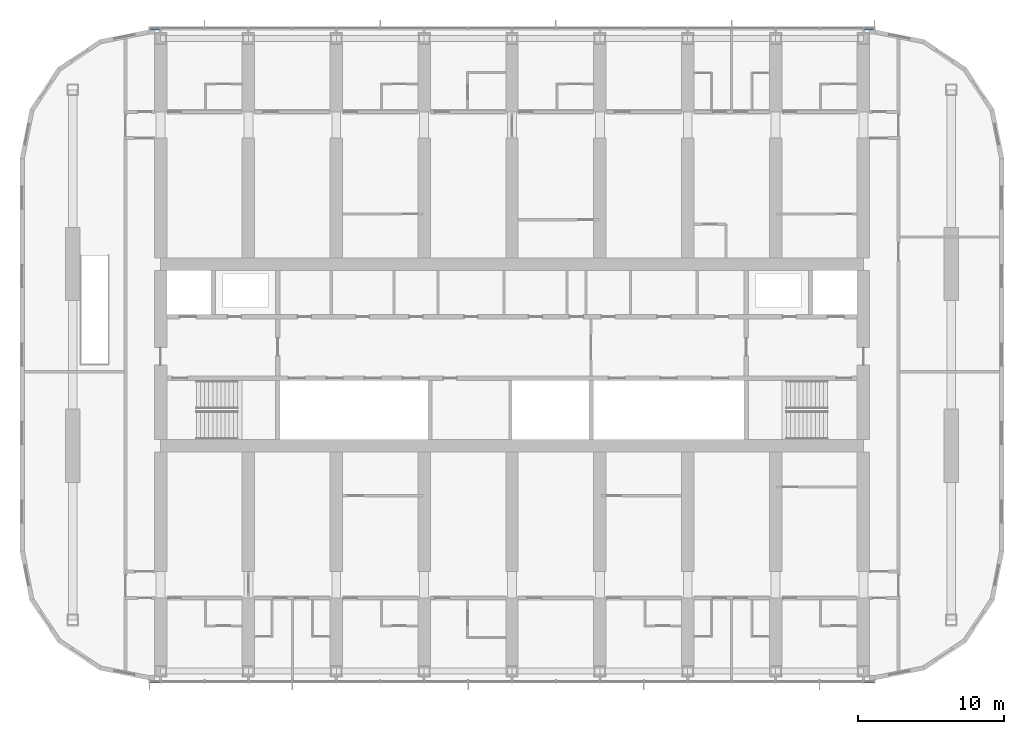
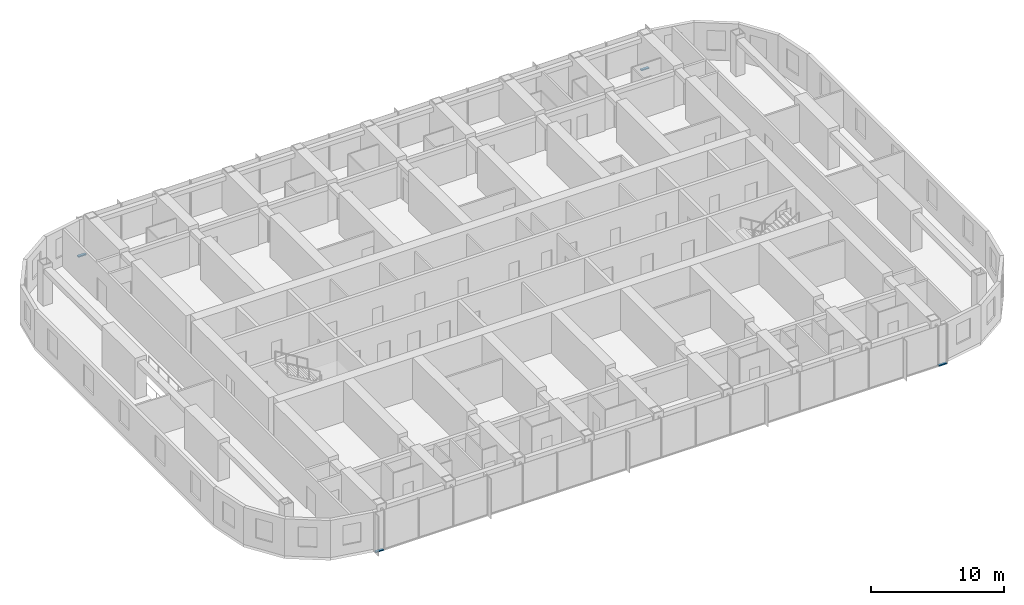
# One storey, part 6 of 22: 4 members, 2 elements without a shape of their own.
"""IFC4 building model written with IfcOpenShell, lengths in metres."""

from ifc_helpers import new_model, si_unit, direction, frame, origin, origin_2d, place, context, subcontext, project, spatial, rectangle, extrude, material, material_profile, profile_set, type_object, element, aggregate, save


model = new_model("IFC4")

# Units and contexts
model_context = context("Model", 3, precision=1e-05, world=origin(), true_north=direction((0.0, 1.0)))
body_context = subcontext(model_context, "Body", "Model", "MODEL_VIEW")
ifc_project = project(units=[si_unit("LENGTHUNIT", "METRE"), si_unit("AREAUNIT", "SQUARE_METRE"), si_unit("VOLUMEUNIT", "CUBIC_METRE"), si_unit("PLANEANGLEUNIT", "RADIAN"), si_unit("MASSUNIT", "GRAM", prefix="KILO")], contexts=[model_context])

# Site, building, storey
site_placement = place(None, origin())
site = spatial("IfcSite", under=ifc_project, at=site_placement, CompositionType="ELEMENT")
building_placement = place(site_placement, origin())
building = spatial("IfcBuilding", under=site, at=building_placement, Name="Orbita Commons", CompositionType="ELEMENT")
storey_placement = place(building_placement, frame((0.0, 0.0, 197.35009765625)))
storey = spatial("IfcBuildingStorey", under=building, at=storey_placement, Name="L49", CompositionType="ELEMENT", Elevation=197.35009765625)

# Curtain wall, members
ifc_material_1 = material(Name="Anodised aluminium frame, pale silver", Category="aluminium")
curtain_wall_type = type_object("IfcCurtainWallType", Name="Unitised curtain wall CW-U, full-height vision", PredefinedType="NOTDEFINED", material=ifc_material_1)
curtain_wall_1_placement = place(storey_placement, origin())
curtain_wall_1 = element("IfcCurtainWall", 1, at=curtain_wall_1_placement, inside=storey, type_object=curtain_wall_type, Name="Curtain wall south L49", PredefinedType="NOTDEFINED")
ifc_material_2 = material(Name="Anodised aluminium, pale silver", Category="aluminium")
ifc_material_profile = material_profile(ifc_material_2, rectangle(XDim=0.219970703125, YDim=0.10009765625, at=origin_2d()), Name="AL 220x100")
ifc_profile_set = profile_set([ifc_material_profile], Name="Anodised aluminium, pale silver")
member_type = type_object("IfcMemberType", Name="Curtain wall stack transom 220x100", PredefinedType="USERDEFINED", material=ifc_profile_set)
member_1_placement = place(storey_placement, frame((17.280029296875, 9.68994140625, -0.2001953125), z_axis=(1.0, 0.0, 0.0), x_axis=(0.0, 1.0, 0.0)))
member_1 = element("IfcMember", 2, at=member_1_placement, type_object=member_type, Name="Transom 1.1 CW-L49-S", ObjectType="TRANSOM", PredefinedType="USERDEFINED", context=body_context, shape_type="SweptSolid", body=[
    extrude(rectangle(XDim=0.219970703125, YDim=0.10009765625, at=origin_2d()), origin(), (0.0, 0.0, 1.0), 0.679931640625),
])
member_2_placement = place(storey_placement, frame((66.0400390625, 9.68994140625, -0.2001953125), z_axis=(1.0, 0.0, 0.0), x_axis=(0.0, 1.0, 0.0)))
member_2 = element("IfcMember", 3, at=member_2_placement, type_object=member_type, Name="Transom 18.1 CW-L49-S", ObjectType="TRANSOM", PredefinedType="USERDEFINED", context=body_context, shape_type="SweptSolid", body=[
    extrude(rectangle(XDim=0.219970703125, YDim=0.10009765625, at=origin_2d()), origin(), (0.0, 0.0, 1.0), 0.679931640625),
])
aggregate(curtain_wall_1, [member_1, member_2])

curtain_wall_2_placement = place(storey_placement, origin())
curtain_wall_2 = element("IfcCurtainWall", 4, at=curtain_wall_2_placement, inside=storey, type_object=curtain_wall_type, Name="Curtain wall north L49", PredefinedType="NOTDEFINED")
member_3_placement = place(storey_placement, frame((66.719970703125, 54.31005859375, -0.2001953125), z_axis=(-1.0, 0.0, 0.0), x_axis=(0.0, -1.0, 0.0)))
member_3 = element("IfcMember", 5, at=member_3_placement, type_object=member_type, Name="Transom 1.1 CW-L49-N", ObjectType="TRANSOM", PredefinedType="USERDEFINED", context=body_context, shape_type="SweptSolid", body=[
    extrude(rectangle(XDim=0.219970703125, YDim=0.10009765625, at=origin_2d()), origin(), (0.0, 0.0, 1.0), 0.679931640625),
])
member_4_placement = place(storey_placement, frame((17.9599609375, 54.31005859375, -0.2001953125), z_axis=(-1.0, 0.0, 0.0), x_axis=(0.0, -1.0, 0.0)))
member_4 = element("IfcMember", 6, at=member_4_placement, type_object=member_type, Name="Transom 18.1 CW-L49-N", ObjectType="TRANSOM", PredefinedType="USERDEFINED", context=body_context, shape_type="SweptSolid", body=[
    extrude(rectangle(XDim=0.219970703125, YDim=0.10009765625, at=origin_2d()), origin(), (0.0, 0.0, 1.0), 0.679931640625),
])
aggregate(curtain_wall_2, [member_3, member_4])

save(model, "model.ifc")
